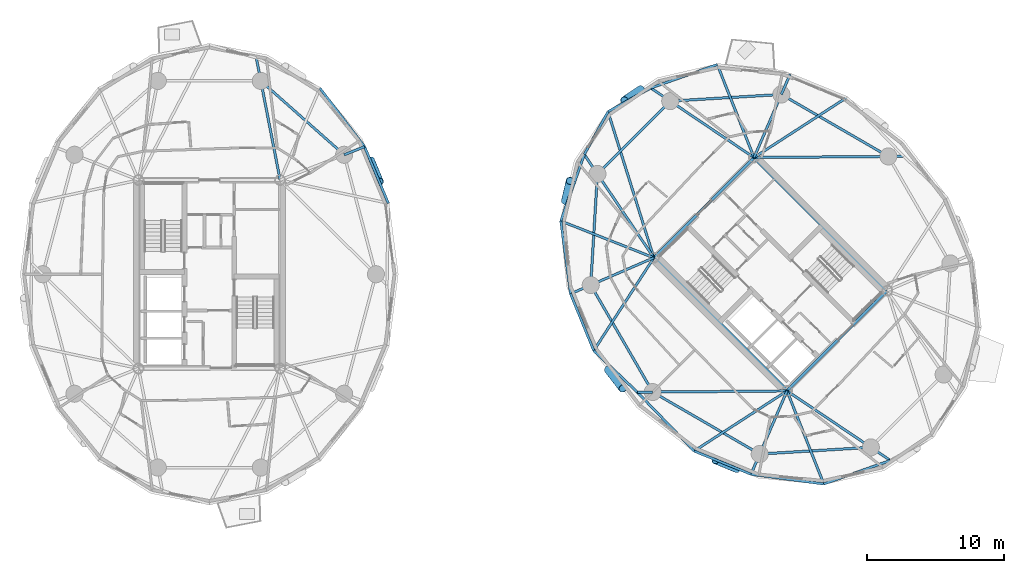
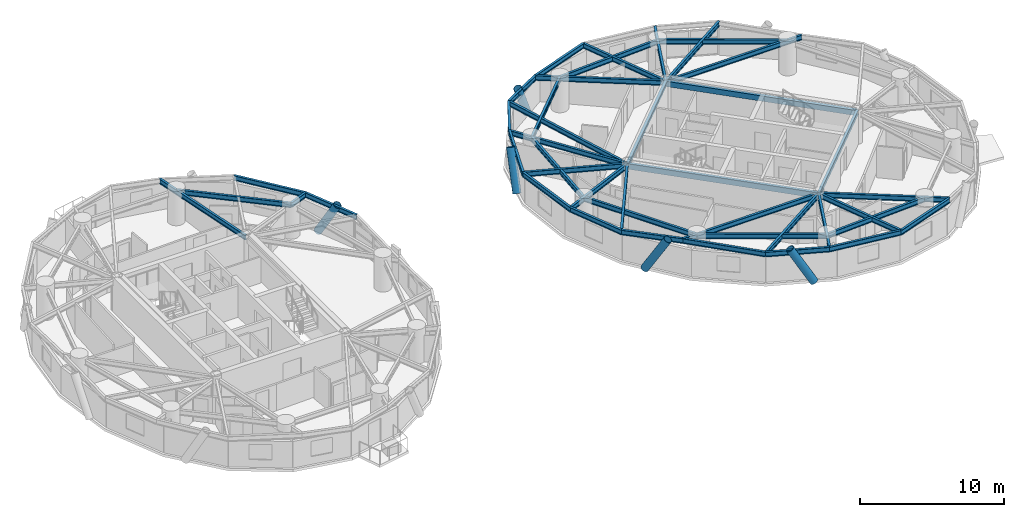
# One storey, part 4 of 16: 44 beams, 5 members.
"""IFC4 building model written with IfcOpenShell, lengths in metres."""

from ifc_helpers import new_model, si_unit, direction, frame, origin, origin_2d, place, context, subcontext, project, spatial, hollow_rectangle, hollow_circle, i_section, extrude, material, material_profile, profile_set, type_object, element, save


model = new_model("IFC4")

# Units and contexts
model_context = context("Model", 3, precision=1e-05, world=origin(), true_north=direction((0.0, 1.0)))
body_context = subcontext(model_context, "Body", "Model", "MODEL_VIEW")
ifc_project = project(units=[si_unit("LENGTHUNIT", "METRE"), si_unit("AREAUNIT", "SQUARE_METRE"), si_unit("VOLUMEUNIT", "CUBIC_METRE"), si_unit("PLANEANGLEUNIT", "RADIAN"), si_unit("MASSUNIT", "GRAM", prefix="KILO")], contexts=[model_context])

# Site, building, storey
site_placement = place(None, origin())
site = spatial("IfcSite", under=ifc_project, at=site_placement, CompositionType="ELEMENT")
building_placement = place(site_placement, origin())
building = spatial("IfcBuilding", under=site, at=building_placement, Name="Cununo Teusaquillo Station Towers", CompositionType="ELEMENT")
storey_placement = place(building_placement, frame((0.0, 0.0, 180.699951171875)))
storey = spatial("IfcBuildingStorey", under=building, at=storey_placement, Name="L57", CompositionType="ELEMENT", Elevation=180.699951171875)

# Beams
ifc_material_1 = material(Name="Steel EN 10025-2 S355J2", Category="steel")
ifc_material_profile_1 = material_profile(ifc_material_1, hollow_rectangle(XDim=0.25, YDim=0.449951171875, WallThickness=0.01611328125, at=origin_2d()), Name="RHS 450x250x16")
ifc_profile_set_1 = profile_set([ifc_material_profile_1], Name="Steel EN 10025-2 S355J2")
beam_type_1 = type_object("IfcBeamType", Name="BM-COUP-1", PredefinedType="USERDEFINED", material=ifc_profile_set_1)
for number, where, z_axis, x_axis, name in (
    (1, (58.70556640625, 15.975830078125, 2.465087890625), (-0.707106781187, 0.707106781187, 0.0), (-0.707106781187, -0.707106781187, 0.0), "L57 Tower B Core Beam 1"),
    (2, (66.024169921875, 23.29443359375, 2.465087890625), (-0.707106781187, 0.707106781187, 0.0), (-0.707106781187, -0.707106781187, 0.0), "L57 Tower B Core Beam 2"),
):
    element("IfcBeam", number, at=place(storey_placement, frame(where, z_axis=z_axis, x_axis=x_axis)), inside=storey, type_object=beam_type_1, Name=name, ObjectType="COUPLING BEAM", PredefinedType="USERDEFINED", context=body_context, shape_type="SweptSolid", body=[
        extrude(hollow_rectangle(XDim=0.25, YDim=0.449951171875, WallThickness=0.01611328125, at=origin_2d()), origin(), (0.0, 0.0, 1.0), 13.760009765625),
    ])
ifc_material_2 = material(Name="Steel ASTM A572 Grade 50", Category="steel")
ifc_material_profile_2 = material_profile(ifc_material_2, i_section(OverallWidth=0.180908203125, OverallDepth=0.4169921875, WebThickness=0.010986328125, FlangeThickness=0.018310546875, FilletRadius=0.012939453125, at=origin_2d()), Name="W16X57")
ifc_profile_set_2 = profile_set([ifc_material_profile_2], Name="Steel ASTM A572 Grade 50")
beam_type_2 = type_object("IfcBeamType", Name="BM-JOIST-1", PredefinedType="JOIST", material=ifc_profile_set_2)
beam_1_placement = place(storey_placement, frame((56.29443359375, 33.024169921875, 2.4814453125), z_axis=(0.839447756954, 0.543440395394, 0.0), x_axis=(-0.543440395394, 0.839447756954, 0.0)))
element("IfcBeam", 3, at=beam_1_placement, inside=storey, type_object=beam_type_2, Name="L57 Tower B Radial Spandrel Joist V01", PredefinedType="JOIST", context=body_context, shape_type="SweptSolid", body=[
    extrude(i_section(OverallWidth=0.180908203125, OverallDepth=0.4169921875, WebThickness=0.010986328125, FlangeThickness=0.018310546875, FilletRadius=0.012939453125, at=origin_2d()), origin(), (0.0, 0.0, 1.0), 8.08203125),
])
beam_2_placement = place(storey_placement, frame((56.29443359375, 33.024169921875, 2.4814453125), z_axis=(-0.367331607091, 0.93009004426, 0.0), x_axis=(-0.93009004426, -0.367331607091, 0.0)))
element("IfcBeam", 4, at=beam_2_placement, inside=storey, type_object=beam_type_2, Name="L57 Tower B Radial Spandrel Joist V03", PredefinedType="JOIST", context=body_context, shape_type="SweptSolid", body=[
    extrude(i_section(OverallWidth=0.180908203125, OverallDepth=0.4169921875, WebThickness=0.010986328125, FlangeThickness=0.018310546875, FilletRadius=0.012939453125, at=origin_2d()), origin(), (0.0, 0.0, 1.0), 7.306884765625),
])
beam_3_placement = place(storey_placement, frame((48.975830078125, 25.70556640625, 2.4814453125), z_axis=(-0.29947962656, 0.954102695351, 0.0), x_axis=(-0.954102695351, -0.29947962656, 0.0)))
element("IfcBeam", 5, at=beam_3_placement, inside=storey, type_object=beam_type_2, Name="L57 Tower B Radial Spandrel Joist V05", PredefinedType="JOIST", context=body_context, shape_type="SweptSolid", body=[
    extrude(i_section(OverallWidth=0.180908203125, OverallDepth=0.4169921875, WebThickness=0.010986328125, FlangeThickness=0.018310546875, FilletRadius=0.012939453125, at=origin_2d()), origin(), (0.0, 0.0, 1.0), 11.179931640625),
])
beam_4_placement = place(storey_placement, frame((48.975830078125, 25.70556640625, 2.4814453125), z_axis=(-0.93009004426, 0.367331607091, 0.0), x_axis=(-0.367331607091, -0.93009004426, 0.0)))
element("IfcBeam", 6, at=beam_4_placement, inside=storey, type_object=beam_type_2, Name="L57 Tower B Radial Spandrel Joist V07", PredefinedType="JOIST", context=body_context, shape_type="SweptSolid", body=[
    extrude(i_section(OverallWidth=0.180908203125, OverallDepth=0.4169921875, WebThickness=0.010986328125, FlangeThickness=0.018310546875, FilletRadius=0.012939453125, at=origin_2d()), origin(), (0.0, 0.0, 1.0), 7.306884765625),
])
for number, where, z_axis, x_axis, name in (
    (7, (48.975830078125, 25.70556640625, 2.4814453125), (-0.543440395394, -0.839447756954, 0.0), (0.839447756954, -0.543440395394, 0.0), "L57 Tower B Radial Spandrel Joist V09"),
    (8, (58.70556640625, 15.975830078125, 2.4814453125), (-0.839447756954, -0.543440395394, 0.0), (0.543440395394, -0.839447756954, 0.0), "L57 Tower B Radial Spandrel Joist V11"),
):
    element("IfcBeam", number, at=place(storey_placement, frame(where, z_axis=z_axis, x_axis=x_axis)), inside=storey, type_object=beam_type_2, Name=name, PredefinedType="JOIST", context=body_context, shape_type="SweptSolid", body=[
        extrude(i_section(OverallWidth=0.180908203125, OverallDepth=0.4169921875, WebThickness=0.010986328125, FlangeThickness=0.018310546875, FilletRadius=0.012939453125, at=origin_2d()), origin(), (0.0, 0.0, 1.0), 8.08203125),
    ])
beam_5_placement = place(storey_placement, frame((58.70556640625, 15.975830078125, 2.4814453125), z_axis=(0.367331607091, -0.93009004426, 0.0), x_axis=(0.93009004426, 0.367331607091, 0.0)))
element("IfcBeam", 9, at=beam_5_placement, inside=storey, type_object=beam_type_2, Name="L57 Tower B Radial Spandrel Joist V13", PredefinedType="JOIST", context=body_context, shape_type="SweptSolid", body=[
    extrude(i_section(OverallWidth=0.180908203125, OverallDepth=0.4169921875, WebThickness=0.010986328125, FlangeThickness=0.018310546875, FilletRadius=0.012939453125, at=origin_2d()), origin(), (0.0, 0.0, 1.0), 7.306884765625),
])
ifc_material_3 = material(Name="Steel ASTM A572 Grade 50", Category="steel")
ifc_material_profile_3 = material_profile(ifc_material_3, i_section(OverallWidth=0.2041015625, OverallDepth=0.35009765625, WebThickness=0.008544921875, FlangeThickness=0.01513671875, FilletRadius=0.011962890625, at=origin_2d()), Name="W14X48")
ifc_profile_set_3 = profile_set([ifc_material_profile_3], Name="Steel ASTM A572 Grade 50")
beam_type_3 = type_object("IfcBeamType", Name="BM-LINTEL-1", PredefinedType="LINTEL", material=ifc_profile_set_3)
for number, where, z_axis, x_axis, name in (
    (10, (58.70556640625, 15.975830078125, 2.51513671875), (0.707106781187, 0.707106781187, 0.0), (-0.707106781187, 0.707106781187, 0.0), "L57 Tower B Core Beam 3"),
    (11, (48.975830078125, 25.70556640625, 2.51513671875), (0.707106781187, 0.707106781187, 0.0), (-0.707106781187, 0.707106781187, 0.0), "L57 Tower B Core Beam 4"),
):
    element("IfcBeam", number, at=place(storey_placement, frame(where, z_axis=z_axis, x_axis=x_axis)), inside=storey, type_object=beam_type_3, Name=name, PredefinedType="LINTEL", context=body_context, shape_type="SweptSolid", body=[
        extrude(i_section(OverallWidth=0.2041015625, OverallDepth=0.35009765625, WebThickness=0.008544921875, FlangeThickness=0.01513671875, FilletRadius=0.011962890625, at=origin_2d()), origin(), (0.0, 0.0, 1.0), 10.35009765625),
    ])
ifc_material_4 = material(Name="Steel ASTM A572 Grade 50", Category="steel")
ifc_material_profile_4 = material_profile(ifc_material_4, i_section(OverallWidth=0.180908203125, OverallDepth=0.4169921875, WebThickness=0.010986328125, FlangeThickness=0.018310546875, FilletRadius=0.012939453125, at=origin_2d()), Name="W16X57")
ifc_profile_set_4 = profile_set([ifc_material_profile_4], Name="Steel ASTM A572 Grade 50")
beam_type_4 = type_object("IfcBeamType", Name="BM-RAD-G2", PredefinedType="BEAM", material=ifc_profile_set_4)
beam_6_placement = place(storey_placement, frame((26.347412109375, 33.228515625, 2.4814453125), z_axis=(0.929873737198, 0.367878829058, 0.0), x_axis=(-0.367878829058, 0.929873737198, 0.0)))
element("IfcBeam", 12, at=beam_6_placement, inside=storey, type_object=beam_type_4, Name="L57 Tower A Perimeter Overhang Girder 02B", PredefinedType="BEAM", context=body_context, shape_type="SweptSolid", body=[
    extrude(i_section(OverallWidth=0.180908203125, OverallDepth=0.4169921875, WebThickness=0.010986328125, FlangeThickness=0.018310546875, FilletRadius=0.012939453125, at=origin_2d()), origin(), (0.0, 0.0, 1.0), 1.607421875),
])
beam_7_placement = place(storey_placement, frame((21.675048828125, 31.3798828125, 2.4814453125), z_axis=(-0.191557018874, 0.981481486591, 0.0), x_axis=(-0.981481486591, -0.191557018874, 0.0)))
element("IfcBeam", 13, at=beam_7_placement, inside=storey, type_object=beam_type_4, Name="L57 Tower A Continuous Overhanging Radial Girder 03", PredefinedType="BEAM", context=body_context, shape_type="SweptSolid", body=[
    extrude(i_section(OverallWidth=0.180908203125, OverallDepth=0.4169921875, WebThickness=0.010986328125, FlangeThickness=0.018310546875, FilletRadius=0.012939453125, at=origin_2d()), origin(), (0.0, 0.0, 1.0), 9.097412109375),
])
beam_8_placement = place(storey_placement, frame((56.29443359375, 33.024169921875, 2.4814453125), z_axis=(0.999964410964, 0.008436634764, 0.0), x_axis=(-0.008436634764, 0.999964410964, 0.0)))
element("IfcBeam", 14, at=beam_8_placement, inside=storey, type_object=beam_type_4, Name="L57 Tower B Continuous Overhanging Radial Girder 01", PredefinedType="BEAM", context=body_context, shape_type="SweptSolid", body=[
    extrude(i_section(OverallWidth=0.180908203125, OverallDepth=0.4169921875, WebThickness=0.010986328125, FlangeThickness=0.018310546875, FilletRadius=0.012939453125, at=origin_2d()), origin(), (0.0, 0.0, 1.0), 10.938720703125),
])
beam_9_placement = place(storey_placement, frame((56.29443359375, 33.024169921875, 2.4814453125), z_axis=(0.397346986387, 0.917668443616, 0.0), x_axis=(-0.917668443616, 0.397346986387, 0.0)))
element("IfcBeam", 15, at=beam_9_placement, inside=storey, type_object=beam_type_4, Name="L57 Tower B Radial Girder 02A", PredefinedType="BEAM", context=body_context, shape_type="SweptSolid", body=[
    extrude(i_section(OverallWidth=0.180908203125, OverallDepth=0.4169921875, WebThickness=0.010986328125, FlangeThickness=0.018310546875, FilletRadius=0.012939453125, at=origin_2d()), origin(), (0.0, 0.0, 1.0), 5.02490234375),
])
beam_10_placement = place(storey_placement, frame((58.291015625, 37.63525390625, 2.4814453125), z_axis=(0.397381487564, 0.917653503966, 0.0), x_axis=(-0.917653503966, 0.397381487564, 0.0)))
element("IfcBeam", 16, at=beam_10_placement, inside=storey, type_object=beam_type_4, Name="L57 Tower B Perimeter Overhang Girder 02B", PredefinedType="BEAM", context=body_context, shape_type="SweptSolid", body=[
    extrude(i_section(OverallWidth=0.180908203125, OverallDepth=0.4169921875, WebThickness=0.010986328125, FlangeThickness=0.018310546875, FilletRadius=0.012939453125, at=origin_2d()), origin(), (0.0, 0.0, 1.0), 1.607177734375),
])
for number, where, z_axis, x_axis, name in (
    (17, (56.29443359375, 33.024169921875, 2.4814453125), (-0.829456719326, 0.558570989907, 0.0), (-0.558570989907, -0.829456719326, 0.0), "L57 Tower B Continuous Overhanging Radial Girder 03"),
    (18, (48.975830078125, 25.70556640625, 2.4814453125), (-0.558570989907, 0.829456719326, 0.0), (-0.829456719326, -0.558570989907, 0.0), "L57 Tower B Continuous Overhanging Radial Girder 04"),
):
    element("IfcBeam", number, at=place(storey_placement, frame(where, z_axis=z_axis, x_axis=x_axis)), inside=storey, type_object=beam_type_4, Name=name, PredefinedType="BEAM", context=body_context, shape_type="SweptSolid", body=[
        extrude(i_section(OverallWidth=0.180908203125, OverallDepth=0.4169921875, WebThickness=0.010986328125, FlangeThickness=0.018310546875, FilletRadius=0.012939453125, at=origin_2d()), origin(), (0.0, 0.0, 1.0), 9.097412109375),
    ])
beam_11_placement = place(storey_placement, frame((48.975830078125, 25.70556640625, 2.4814453125), z_axis=(-0.917664823247, -0.397355347486, 0.0), x_axis=(0.397355347486, -0.917664823247, 0.0)))
element("IfcBeam", 19, at=beam_11_placement, inside=storey, type_object=beam_type_4, Name="L57 Tower B Continuous Overhanging Radial Girder 05", PredefinedType="BEAM", context=body_context, shape_type="SweptSolid", body=[
    extrude(i_section(OverallWidth=0.180908203125, OverallDepth=0.4169921875, WebThickness=0.010986328125, FlangeThickness=0.018310546875, FilletRadius=0.012939453125, at=origin_2d()), origin(), (0.0, 0.0, 1.0), 6.632080078125),
])
beam_12_placement = place(storey_placement, frame((58.70556640625, 15.975830078125, 2.4814453125), z_axis=(-0.999964431382, -0.008434214327, 0.0), x_axis=(0.008434214327, -0.999964431382, 0.0)))
element("IfcBeam", 20, at=beam_12_placement, inside=storey, type_object=beam_type_4, Name="L57 Tower B Radial Girder 06A", PredefinedType="BEAM", context=body_context, shape_type="SweptSolid", body=[
    extrude(i_section(OverallWidth=0.180908203125, OverallDepth=0.4169921875, WebThickness=0.010986328125, FlangeThickness=0.018310546875, FilletRadius=0.012939453125, at=origin_2d()), origin(), (0.0, 0.0, 1.0), 9.812744140625),
])
beam_13_placement = place(storey_placement, frame((48.89306640625, 15.89306640625, 2.4814453125), z_axis=(-0.99996423274, -0.008457732613, 0.0), x_axis=(0.008457732613, -0.99996423274, 0.0)))
element("IfcBeam", 21, at=beam_13_placement, inside=storey, type_object=beam_type_4, Name="L57 Tower B Perimeter Overhang Girder 06B", PredefinedType="BEAM", context=body_context, shape_type="SweptSolid", body=[
    extrude(i_section(OverallWidth=0.180908203125, OverallDepth=0.4169921875, WebThickness=0.010986328125, FlangeThickness=0.018310546875, FilletRadius=0.012939453125, at=origin_2d()), origin(), (0.0, 0.0, 1.0), 1.125732421875),
])
beam_14_placement = place(storey_placement, frame((58.70556640625, 15.975830078125, 2.4814453125), z_axis=(-0.397355347486, -0.917664823247, 0.0), x_axis=(0.917664823247, -0.397355347486, 0.0)))
element("IfcBeam", 22, at=beam_14_placement, inside=storey, type_object=beam_type_4, Name="L57 Tower B Continuous Overhanging Radial Girder 07", PredefinedType="BEAM", context=body_context, shape_type="SweptSolid", body=[
    extrude(i_section(OverallWidth=0.180908203125, OverallDepth=0.4169921875, WebThickness=0.010986328125, FlangeThickness=0.018310546875, FilletRadius=0.012939453125, at=origin_2d()), origin(), (0.0, 0.0, 1.0), 6.632080078125),
])
beam_15_placement = place(storey_placement, frame((58.70556640625, 15.975830078125, 2.4814453125), z_axis=(0.829456719326, -0.558570989907, 0.0), x_axis=(0.558570989907, 0.829456719326, 0.0)))
element("IfcBeam", 23, at=beam_15_placement, inside=storey, type_object=beam_type_4, Name="L57 Tower B Continuous Overhanging Radial Girder 08", PredefinedType="BEAM", context=body_context, shape_type="SweptSolid", body=[
    extrude(i_section(OverallWidth=0.180908203125, OverallDepth=0.4169921875, WebThickness=0.010986328125, FlangeThickness=0.018310546875, FilletRadius=0.012939453125, at=origin_2d()), origin(), (0.0, 0.0, 1.0), 9.097412109375),
])
ifc_material_5 = material(Name="Steel ASTM A572 Grade 50", Category="steel")
ifc_material_profile_5 = material_profile(ifc_material_5, i_section(OverallWidth=0.180908203125, OverallDepth=0.4169921875, WebThickness=0.010986328125, FlangeThickness=0.018310546875, FilletRadius=0.012939453125, at=origin_2d()), Name="W16X57")
ifc_profile_set_5 = profile_set([ifc_material_profile_5], Name="Steel ASTM A572 Grade 50")
beam_type_5 = type_object("IfcBeamType", Name="BM-RING-Z3", PredefinedType="SPANDREL", material=ifc_profile_set_5)
beam_16_placement = place(storey_placement, frame((26.347412109375, 33.228515625, 2.4814453125), z_axis=(-0.74832120039, 0.66333655187, 0.0), x_axis=(-0.66333655187, -0.74832120039, 0.0)))
element("IfcBeam", 24, at=beam_16_placement, inside=storey, type_object=beam_type_5, Name="L57 Tower A Structural Column Ring Girder 02", PredefinedType="SPANDREL", context=body_context, shape_type="SweptSolid", body=[
    extrude(i_section(OverallWidth=0.180908203125, OverallDepth=0.4169921875, WebThickness=0.010986328125, FlangeThickness=0.018310546875, FilletRadius=0.012939453125, at=origin_2d()), origin(), (0.0, 0.0, 1.0), 8.1328125),
])
beam_17_placement = place(storey_placement, frame((29.577880859375, 29.6884765625, 2.4814453125), z_axis=(-0.387360300858, 0.921928412253, 0.0), x_axis=(-0.921928412253, -0.387360300858, 0.0)))
element("IfcBeam", 25, at=beam_17_placement, inside=storey, type_object=beam_type_5, Name="L57 Tower A Spandrel Ring Beam 02", PredefinedType="SPANDREL", context=body_context, shape_type="SweptSolid", body=[
    extrude(i_section(OverallWidth=0.180908203125, OverallDepth=0.4169921875, WebThickness=0.010986328125, FlangeThickness=0.018310546875, FilletRadius=0.012939453125, at=origin_2d()), origin(), (0.0, 0.0, 1.0), 4.481201171875),
])
beam_18_placement = place(storey_placement, frame((27.842041015625, 33.81982421875, 2.4814453125), z_axis=(-0.607340349092, 0.794441753916, 0.0), x_axis=(-0.794441753916, -0.607340349092, 0.0)))
element("IfcBeam", 26, at=beam_18_placement, inside=storey, type_object=beam_type_5, Name="L57 Tower A Spandrel Ring Beam 03", PredefinedType="SPANDREL", context=body_context, shape_type="SweptSolid", body=[
    extrude(i_section(OverallWidth=0.180908203125, OverallDepth=0.4169921875, WebThickness=0.010986328125, FlangeThickness=0.018310546875, FilletRadius=0.012939453125, at=origin_2d()), origin(), (0.0, 0.0, 1.0), 5.366943359375),
])
beam_19_placement = place(storey_placement, frame((66.10693359375, 33.10693359375, 2.4814453125), z_axis=(-0.865267103202, 0.501311121078, 0.0), x_axis=(-0.501311121078, -0.865267103202, 0.0)))
element("IfcBeam", 27, at=beam_19_placement, inside=storey, type_object=beam_type_5, Name="L57 Tower B Structural Column Ring Girder 01", PredefinedType="SPANDREL", context=body_context, shape_type="SweptSolid", body=[
    extrude(i_section(OverallWidth=0.180908203125, OverallDepth=0.4169921875, WebThickness=0.010986328125, FlangeThickness=0.018310546875, FilletRadius=0.012939453125, at=origin_2d()), origin(), (0.0, 0.0, 1.0), 9.032958984375),
])
beam_20_placement = place(storey_placement, frame((58.291015625, 37.63525390625, 2.4814453125), z_axis=(-0.998190567048, -0.06012979176, 0.0), x_axis=(0.06012979176, -0.998190567048, 0.0)))
element("IfcBeam", 28, at=beam_20_placement, inside=storey, type_object=beam_type_5, Name="L57 Tower B Structural Column Ring Girder 02", PredefinedType="SPANDREL", context=body_context, shape_type="SweptSolid", body=[
    extrude(i_section(OverallWidth=0.180908203125, OverallDepth=0.4169921875, WebThickness=0.010986328125, FlangeThickness=0.018310546875, FilletRadius=0.012939453125, at=origin_2d()), origin(), (0.0, 0.0, 1.0), 8.132568359375),
])
beam_21_placement = place(storey_placement, frame((50.173095703125, 37.146240234375, 2.4814453125), z_axis=(-0.707106781187, -0.707106781187, 0.0), x_axis=(0.707106781187, -0.707106781187, 0.0)))
element("IfcBeam", 29, at=beam_21_placement, inside=storey, type_object=beam_type_5, Name="L57 Tower B Structural Column Ring Girder 03", PredefinedType="SPANDREL", context=body_context, shape_type="SweptSolid", body=[
    extrude(i_section(OverallWidth=0.180908203125, OverallDepth=0.4169921875, WebThickness=0.010986328125, FlangeThickness=0.018310546875, FilletRadius=0.012939453125, at=origin_2d()), origin(), (0.0, 0.0, 1.0), 7.522705078125),
])
beam_22_placement = place(storey_placement, frame((44.853759765625, 31.826904296875, 2.4814453125), z_axis=(-0.06012979176, -0.998190567048, 0.0), x_axis=(0.998190567048, -0.06012979176, 0.0)))
element("IfcBeam", 30, at=beam_22_placement, inside=storey, type_object=beam_type_5, Name="L57 Tower B Structural Column Ring Girder 04", PredefinedType="SPANDREL", context=body_context, shape_type="SweptSolid", body=[
    extrude(i_section(OverallWidth=0.180908203125, OverallDepth=0.4169921875, WebThickness=0.010986328125, FlangeThickness=0.018310546875, FilletRadius=0.012939453125, at=origin_2d()), origin(), (0.0, 0.0, 1.0), 8.132568359375),
])
for number, where, z_axis, x_axis, name in (
    (31, (44.36474609375, 23.708984375, 2.4814453125), (0.501311121078, -0.865267103202, 0.0), (0.865267103202, 0.501311121078, 0.0), "L57 Tower B Structural Column Ring Girder 05"),
    (32, (48.89306640625, 15.89306640625, 2.4814453125), (0.865267103202, -0.501311121078, 0.0), (0.501311121078, 0.865267103202, 0.0), "L57 Tower B Structural Column Ring Girder 06"),
):
    element("IfcBeam", number, at=place(storey_placement, frame(where, z_axis=z_axis, x_axis=x_axis)), inside=storey, type_object=beam_type_5, Name=name, PredefinedType="SPANDREL", context=body_context, shape_type="SweptSolid", body=[
        extrude(i_section(OverallWidth=0.180908203125, OverallDepth=0.4169921875, WebThickness=0.010986328125, FlangeThickness=0.018310546875, FilletRadius=0.012939453125, at=origin_2d()), origin(), (0.0, 0.0, 1.0), 9.032958984375),
    ])
beam_23_placement = place(storey_placement, frame((56.708984375, 11.36474609375, 2.4814453125), z_axis=(0.998190567048, 0.06012979176, 0.0), x_axis=(-0.06012979176, 0.998190567048, 0.0)))
element("IfcBeam", 33, at=beam_23_placement, inside=storey, type_object=beam_type_5, Name="L57 Tower B Structural Column Ring Girder 07", PredefinedType="SPANDREL", context=body_context, shape_type="SweptSolid", body=[
    extrude(i_section(OverallWidth=0.180908203125, OverallDepth=0.4169921875, WebThickness=0.010986328125, FlangeThickness=0.018310546875, FilletRadius=0.012939453125, at=origin_2d()), origin(), (0.0, 0.0, 1.0), 8.132568359375),
])
beam_24_placement = place(storey_placement, frame((53.6103515625, 39.8203125, 2.4814453125), z_axis=(-0.943071614141, -0.332589733158, 0.0), x_axis=(0.332589733158, -0.943071614141, 0.0)))
element("IfcBeam", 34, at=beam_24_placement, inside=storey, type_object=beam_type_5, Name="L57 Tower B Spandrel Ring Beam 04", PredefinedType="SPANDREL", context=body_context, shape_type="SweptSolid", body=[
    extrude(i_section(OverallWidth=0.180908203125, OverallDepth=0.4169921875, WebThickness=0.010986328125, FlangeThickness=0.018310546875, FilletRadius=0.012939453125, at=origin_2d()), origin(), (0.0, 0.0, 1.0), 5.1552734375),
])
for number, where, z_axis, x_axis, name in (
    (35, (48.74853515625, 38.105712890625, 2.4814453125), (-0.874205659621, -0.485555830659, 0.0), (0.485555830659, -0.874205659621, 0.0), "L57 Tower B Spandrel Ring Beam 05"),
    (36, (45.627685546875, 36.372314453125, 2.4814453125), (-0.485555830659, -0.874205659621, 0.0), (0.874205659621, -0.485555830659, 0.0), "L57 Tower B Spandrel Ring Beam 06"),
):
    element("IfcBeam", number, at=place(storey_placement, frame(where, z_axis=z_axis, x_axis=x_axis)), inside=storey, type_object=beam_type_5, Name=name, PredefinedType="SPANDREL", context=body_context, shape_type="SweptSolid", body=[
        extrude(i_section(OverallWidth=0.180908203125, OverallDepth=0.4169921875, WebThickness=0.010986328125, FlangeThickness=0.018310546875, FilletRadius=0.012939453125, at=origin_2d()), origin(), (0.0, 0.0, 1.0), 3.56982421875),
    ])
beam_25_placement = place(storey_placement, frame((43.894287109375, 33.25146484375, 2.4814453125), z_axis=(-0.332589733158, -0.943071614141, 0.0), x_axis=(0.943071614141, -0.332589733158, 0.0)))
element("IfcBeam", 37, at=beam_25_placement, inside=storey, type_object=beam_type_5, Name="L57 Tower B Spandrel Ring Beam 07", PredefinedType="SPANDREL", context=body_context, shape_type="SweptSolid", body=[
    extrude(i_section(OverallWidth=0.180908203125, OverallDepth=0.4169921875, WebThickness=0.010986328125, FlangeThickness=0.018310546875, FilletRadius=0.012939453125, at=origin_2d()), origin(), (0.0, 0.0, 1.0), 5.1552734375),
])
beam_26_placement = place(storey_placement, frame((42.1796875, 28.3896484375, 2.4814453125), z_axis=(0.132339532096, -0.991204443213, 0.0), x_axis=(0.991204443213, 0.132339532096, 0.0)))
element("IfcBeam", 38, at=beam_26_placement, inside=storey, type_object=beam_type_5, Name="L57 Tower B Spandrel Ring Beam 08", PredefinedType="SPANDREL", context=body_context, shape_type="SweptSolid", body=[
    extrude(i_section(OverallWidth=0.180908203125, OverallDepth=0.4169921875, WebThickness=0.010986328125, FlangeThickness=0.018310546875, FilletRadius=0.012939453125, at=origin_2d()), origin(), (0.0, 0.0, 1.0), 5.366455078125),
])
beam_27_placement = place(storey_placement, frame((42.889892578125, 23.0703125, 2.4814453125), z_axis=(0.377956082264, -0.925823525235, 0.0), x_axis=(0.925823525235, 0.377956082264, 0.0)))
element("IfcBeam", 39, at=beam_27_placement, inside=storey, type_object=beam_type_5, Name="L57 Tower B Spandrel Ring Beam 09", PredefinedType="SPANDREL", context=body_context, shape_type="SweptSolid", body=[
    extrude(i_section(OverallWidth=0.180908203125, OverallDepth=0.4169921875, WebThickness=0.010986328125, FlangeThickness=0.018310546875, FilletRadius=0.012939453125, at=origin_2d()), origin(), (0.0, 0.0, 1.0), 4.481689453125),
])
beam_28_placement = place(storey_placement, frame((44.583740234375, 18.921142578125, 2.4814453125), z_axis=(0.723501643849, -0.690322657421, 0.0), x_axis=(0.690322657421, 0.723501643849, 0.0)))
element("IfcBeam", 40, at=beam_28_placement, inside=storey, type_object=beam_type_5, Name="L57 Tower B Spandrel Ring Beam 10", PredefinedType="SPANDREL", context=body_context, shape_type="SweptSolid", body=[
    extrude(i_section(OverallWidth=0.180908203125, OverallDepth=0.4169921875, WebThickness=0.010986328125, FlangeThickness=0.018310546875, FilletRadius=0.012939453125, at=origin_2d()), origin(), (0.0, 0.0, 1.0), 4.400146484375),
])
beam_29_placement = place(storey_placement, frame((47.767333984375, 15.883544921875, 2.4814453125), z_axis=(0.694791256552, -0.719211450005, 0.0), x_axis=(0.719211450005, 0.694791256552, 0.0)))
element("IfcBeam", 41, at=beam_29_placement, inside=storey, type_object=beam_type_5, Name="L57 Tower B Spandrel Ring Beam 11", PredefinedType="SPANDREL", context=body_context, shape_type="SweptSolid", body=[
    extrude(i_section(OverallWidth=0.180908203125, OverallDepth=0.4169921875, WebThickness=0.010986328125, FlangeThickness=0.018310546875, FilletRadius=0.012939453125, at=origin_2d()), origin(), (0.0, 0.0, 1.0), 5.978515625),
])
beam_30_placement = place(storey_placement, frame((51.921142578125, 11.583740234375, 2.4814453125), z_axis=(0.925823525235, -0.377956082264, 0.0), x_axis=(0.377956082264, 0.925823525235, 0.0)))
element("IfcBeam", 42, at=beam_30_placement, inside=storey, type_object=beam_type_5, Name="L57 Tower B Spandrel Ring Beam 12", PredefinedType="SPANDREL", context=body_context, shape_type="SweptSolid", body=[
    extrude(i_section(OverallWidth=0.180908203125, OverallDepth=0.4169921875, WebThickness=0.010986328125, FlangeThickness=0.018310546875, FilletRadius=0.012939453125, at=origin_2d()), origin(), (0.0, 0.0, 1.0), 4.481689453125),
])
beam_31_placement = place(storey_placement, frame((56.0703125, 9.889892578125, 2.4814453125), z_axis=(0.991204443213, -0.132339532096, 0.0), x_axis=(0.132339532096, 0.991204443213, 0.0)))
element("IfcBeam", 43, at=beam_31_placement, inside=storey, type_object=beam_type_5, Name="L57 Tower B Spandrel Ring Beam 13", PredefinedType="SPANDREL", context=body_context, shape_type="SweptSolid", body=[
    extrude(i_section(OverallWidth=0.180908203125, OverallDepth=0.4169921875, WebThickness=0.010986328125, FlangeThickness=0.018310546875, FilletRadius=0.012939453125, at=origin_2d()), origin(), (0.0, 0.0, 1.0), 5.366455078125),
])
beam_32_placement = place(storey_placement, frame((61.3896484375, 9.1796875, 2.4814453125), z_axis=(0.943071614141, 0.332589733158, 0.0), x_axis=(-0.332589733158, 0.943071614141, 0.0)))
element("IfcBeam", 44, at=beam_32_placement, inside=storey, type_object=beam_type_5, Name="L57 Tower B Spandrel Ring Beam 14", PredefinedType="SPANDREL", context=body_context, shape_type="SweptSolid", body=[
    extrude(i_section(OverallWidth=0.180908203125, OverallDepth=0.4169921875, WebThickness=0.010986328125, FlangeThickness=0.018310546875, FilletRadius=0.012939453125, at=origin_2d()), origin(), (0.0, 0.0, 1.0), 5.1552734375),
])

# Members
ifc_material_6 = material(Name="Steel EN 10025-2 S355J2", Category="steel")
ifc_material_profile_6 = material_profile(ifc_material_6, hollow_circle(Radius=0.304931640625, WallThickness=0.02001953125, at=origin_2d()), Name="CHS 610x20")
ifc_profile_set_6 = profile_set([ifc_material_profile_6], Name="Steel EN 10025-2 S355J2")
member_type = type_object("IfcMemberType", Name="MBR-DIAG-Z3", PredefinedType="BRACE", material=ifc_profile_set_6)
member_1_placement = place(storey_placement, frame((28.27587890625, 32.80859375, -0.139892578125), z_axis=(0.193480671787, -0.463570113506, 0.864677962891), x_axis=(0.922846026244, 0.38516906917, 0.0)))
element("IfcMember", 45, at=member_1_placement, inside=storey, type_object=member_type, Name="L57 Tower A Folded-Zigzag Diagrid Tube C01", PredefinedType="BRACE", context=body_context, shape_type="SweptSolid", body=[
    extrude(hollow_circle(Radius=0.304931640625, WallThickness=0.02001953125, at=origin_2d()), origin(), (0.0, 0.0, 1.0), 3.365234375),
])
member_2_placement = place(storey_placement, frame((48.018310546875, 37.988037109375, -0.139892578125), z_axis=(-0.368023716822, -0.248731715475, 0.895930286112), x_axis=(0.559961028799, -0.828518947416, 0.0)))
element("IfcMember", 46, at=member_2_placement, inside=storey, type_object=member_type, Name="L57 Tower B Folded-Zigzag Diagrid Tube C04", PredefinedType="BRACE", context=body_context, shape_type="SweptSolid", body=[
    extrude(hollow_circle(Radius=0.304931640625, WallThickness=0.02001953125, at=origin_2d()), origin(), (0.0, 0.0, 1.0), 3.247802734375),
])
member_3_placement = place(storey_placement, frame((42.521240234375, 29.855224609375, -0.139892578125), z_axis=(0.104259152832, 0.447367901679, 0.888252210579), x_axis=(-0.973902205409, 0.226968046871, 0.0)))
element("IfcMember", 47, at=member_3_placement, inside=storey, type_object=member_type, Name="L57 Tower B Folded-Zigzag Diagrid Tube C06", PredefinedType="BRACE", context=body_context, shape_type="SweptSolid", body=[
    extrude(hollow_circle(Radius=0.304931640625, WallThickness=0.02001953125, at=origin_2d()), origin(), (0.0, 0.0, 1.0), 3.27587890625),
])
member_4_placement = place(storey_placement, frame((45.64794921875, 17.539794921875, -0.139892578125), z_axis=(0.313761283942, -0.407241996749, 0.857734115436), x_axis=(0.792155415614, 0.610319422527, 0.0)))
element("IfcMember", 48, at=member_4_placement, inside=storey, type_object=member_type, Name="L57 Tower B Folded-Zigzag Diagrid Tube C09", PredefinedType="BRACE", context=body_context, shape_type="SweptSolid", body=[
    extrude(hollow_circle(Radius=0.304931640625, WallThickness=0.02001953125, at=origin_2d()), origin(), (0.0, 0.0, 1.0), 3.392578125),
])
member_5_placement = place(storey_placement, frame((55.04833984375, 10.298095703125, -0.139892578125), z_axis=(-0.464587085322, 0.191014646417, 0.864680429411), x_axis=(-0.380263076079, -0.924878366582, 0.0)))
element("IfcMember", 49, at=member_5_placement, inside=storey, type_object=member_type, Name="L57 Tower B Folded-Zigzag Diagrid Tube C11", PredefinedType="BRACE", context=body_context, shape_type="SweptSolid", body=[
    extrude(hollow_circle(Radius=0.304931640625, WallThickness=0.02001953125, at=origin_2d()), origin(), (0.0, 0.0, 1.0), 3.365234375),
])

save(model, "model.ifc")
